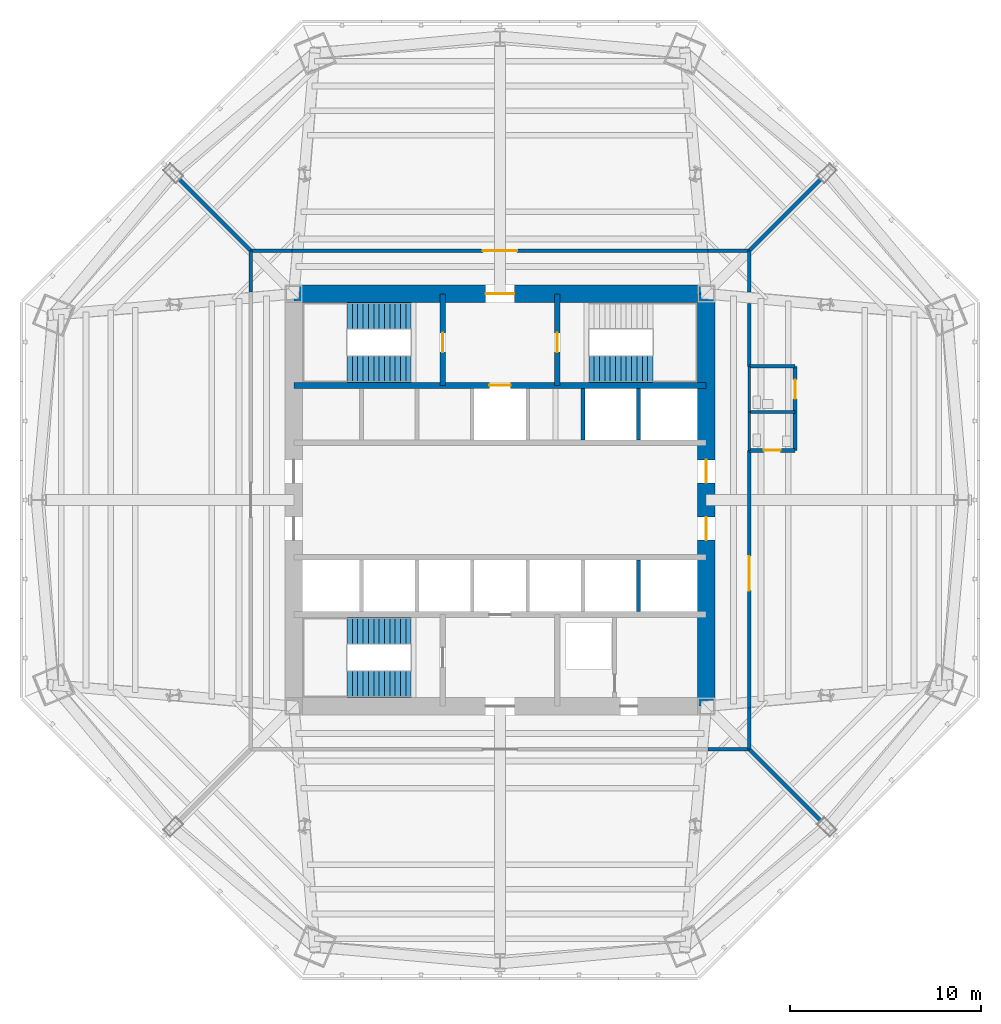
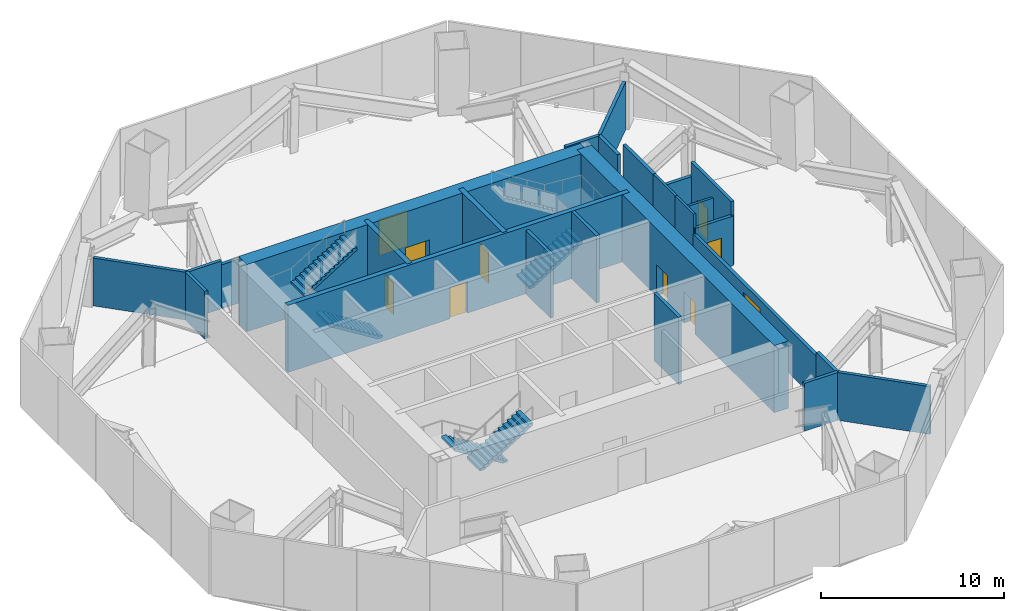
# One storey, part 5 of 9: 26 walls, 10 doors, 5 stair flights, 10 openings, 3 elements without a shape of their own.
"""IFC4 building model written with IfcOpenShell, lengths in metres."""

from ifc_helpers import new_model, si_unit, direction, frame, frame_2d, origin, place, context, subcontext, project, spatial, polyline, rectangle, outline, extrude, material, layer, layer_set, type_object, element, fill, aggregate, save


model = new_model("IFC4")

# Units and contexts
model_context = context("Model", 3, precision=1e-05, world=origin(), true_north=direction((0.0, 1.0)))
body_context = subcontext(model_context, "Body", "Model", "MODEL_VIEW")
ifc_project = project(units=[si_unit("LENGTHUNIT", "METRE"), si_unit("AREAUNIT", "SQUARE_METRE"), si_unit("VOLUMEUNIT", "CUBIC_METRE"), si_unit("PLANEANGLEUNIT", "RADIAN"), si_unit("MASSUNIT", "GRAM", prefix="KILO")], contexts=[model_context])

# Site, building, storey
site_placement = place(None, origin())
site = spatial("IfcSite", under=ifc_project, at=site_placement, CompositionType="ELEMENT")
building_placement = place(site_placement, origin())
building = spatial("IfcBuilding", under=site, at=building_placement, Name="Mashrafa Tower", CompositionType="ELEMENT")
storey_placement = place(building_placement, frame((0.0, 0.0, 104.39990234375)))
storey = spatial("IfcBuildingStorey", under=building, at=storey_placement, Name="L23", CompositionType="ELEMENT", Elevation=104.39990234375)

# Wall
ifc_material_1 = material(Name="Concrete masonry unit", Category="masonry")
ifc_layer_1 = layer(ifc_material_1, 0.199951171875)
ifc_layer_set_1 = layer_set([ifc_layer_1], Name="Blockwork wall 200 2 hr")
wall_type_1 = type_object("IfcWallType", Name="Blockwork wall 200 2 hr", PredefinedType="PARTITIONING", material=ifc_layer_set_1)
wall_1_placement = place(storey_placement, frame((13.050048828125, -13.050048828125, 0.0), z_axis=(0.0, 0.0, 1.0), x_axis=(0.0, 1.0, 0.0)))
element("IfcWall", 1, at=wall_1_placement, inside=storey, type_object=wall_type_1, Name="Blockwork wall L23-003", PredefinedType="PARTITIONING", context=body_context, shape_type="SweptSolid", body=[
    extrude(rectangle(XDim=2.15283203125, YDim=0.199951171875, at=frame_2d((1.076416015625, 0.0))), origin(), (0.0, 0.0, 1.0), 3.19873046875),
])

# Wall, opening, door
wall_2_placement = place(storey_placement, frame((13.050048828125, -10.895263671875, 0.0), z_axis=(0.0, 0.0, 1.0), x_axis=(0.0, 1.0, 0.0)))
wall_2 = element("IfcWall", 2, at=wall_2_placement, inside=storey, type_object=wall_type_1, Name="Blockwork wall L23-004", PredefinedType="PARTITIONING", context=body_context, shape_type="SweptSolid", body=[
    extrude(rectangle(XDim=13.496337890625, YDim=0.199951171875, at=frame_2d((6.748046875, 0.0))), origin(), (0.0, 0.0, 1.0), 2.940185546875),
])
opening_1_placement = place(wall_2_placement, frame((6.1533203125, 0.0, 0.0)))
opening_1 = element("IfcOpeningElement", 3, at=opening_1_placement, cuts=wall_2, Name="Opening 23.003", PredefinedType="OPENING", context=body_context, shape_type="SweptSolid", body=[
    extrude(rectangle(XDim=1.800048828125, YDim=2.39990234375, at=frame_2d((0.89990234375, 1.199951171875))), frame((0.0, 0.10986328125, 0.0), z_axis=(0.0, -1.0, 0.0), x_axis=(1.0, 0.0, 0.0)), (0.0, 0.0, 1.0), 0.219970703125),
])
ifc_material_2 = material(Name="Steel door", Category="steel")
door_type_1 = type_object("IfcDoorType", Name="Door pair 1800 x 2400 90 min", OperationType="DOUBLE_DOOR_SINGLE_SWING", PredefinedType="DOOR", material=ifc_material_2)
door_1_placement = place(opening_1_placement, origin())
door_1 = element("IfcDoor", 4, at=door_1_placement, inside=storey, type_object=door_type_1, Name="Refuge Area L23 East door", OperationType="DOUBLE_DOOR_SINGLE_SWING", OverallHeight=2.39990234375, OverallWidth=1.800048828125, PredefinedType="DOOR", context=body_context, shape_type="SweptSolid", body=[
    extrude(rectangle(XDim=1.800048828125, YDim=2.39990234375, at=frame_2d((0.89990234375, 1.199951171875))), frame((0.0, 0.02490234375, 0.0), z_axis=(0.0, -1.0, 0.0), x_axis=(1.0, 0.0, 0.0)), (0.0, 0.0, 1.0), 0.050048828125),
])
fill(opening_1, door_1)

# Walls
wall_3_placement = place(storey_placement, frame((13.050048828125, 6.9990234375, 0.0), z_axis=(0.0, 0.0, 1.0), x_axis=(0.0, 1.0, 0.0)))
element("IfcWall", 5, at=wall_3_placement, inside=storey, type_object=wall_type_1, Name="Blockwork wall L23-005", PredefinedType="PARTITIONING", context=body_context, shape_type="SweptSolid", body=[
    extrude(rectangle(XDim=3.28564453125, YDim=0.199951171875, at=frame_2d((1.642822265625, 0.0))), origin(), (0.0, 0.0, 1.0), 4.25),
])
for number, where, z_axis, x_axis, name in (
    (6, (13.050048828125, 10.897216796875, 0.0), (0.0, 0.0, 1.0), (0.0, 1.0, 0.0), "Blockwork wall L23-006"),
    (7, (-13.050048828125, 13.050048828125, 0.0), (0.0, 0.0, 1.0), (0.0, -1.0, 0.0), "Blockwork wall L23-007"),
    (8, (13.050048828125, 13.050048828125, 0.0), (0.0, 0.0, 1.0), (-1.0, 0.0, 0.0), "Blockwork wall L23-010"),
):
    element("IfcWall", number, at=place(storey_placement, frame(where, z_axis=z_axis, x_axis=x_axis)), inside=storey, type_object=wall_type_1, Name=name, PredefinedType="PARTITIONING", context=body_context, shape_type="SweptSolid", body=[
        extrude(rectangle(XDim=2.15283203125, YDim=0.199951171875, at=frame_2d((1.076416015625, 0.0))), origin(), (0.0, 0.0, 1.0), 3.19873046875),
    ])

# Wall, opening, door
wall_4_placement = place(storey_placement, frame((10.895263671875, 13.050048828125, 0.0), z_axis=(0.0, 0.0, 1.0), x_axis=(-1.0, 0.0, 0.0)))
wall_4 = element("IfcWall", 9, at=wall_4_placement, inside=storey, type_object=wall_type_1, Name="Blockwork wall L23-011", PredefinedType="PARTITIONING", context=body_context, shape_type="SweptSolid", body=[
    extrude(rectangle(XDim=21.79052734375, YDim=0.199951171875, at=frame_2d((10.895263671875, 0.0))), origin(), (0.0, 0.0, 1.0), 2.940185546875),
])
opening_2_placement = place(wall_4_placement, frame((9.995361328125, 0.0, 0.0)))
opening_2 = element("IfcOpeningElement", 10, at=opening_2_placement, cuts=wall_4, Name="Opening 23.005", PredefinedType="OPENING", context=body_context, shape_type="SweptSolid", body=[
    extrude(rectangle(XDim=1.800048828125, YDim=2.39990234375, at=frame_2d((0.89990234375, 1.199951171875))), frame((0.0, 0.10986328125, 0.0), z_axis=(0.0, -1.0, 0.0), x_axis=(1.0, 0.0, 0.0)), (0.0, 0.0, 1.0), 0.219970703125),
])
door_2_placement = place(opening_2_placement, frame((1.800048828125, 0.0, 0.0), z_axis=(0.0, 0.0, 1.0), x_axis=(-1.0, 0.0, 0.0)))
door_2 = element("IfcDoor", 11, at=door_2_placement, inside=storey, type_object=door_type_1, Name="Mechanical Plant Room L23 door", OperationType="DOUBLE_DOOR_SINGLE_SWING", OverallHeight=2.39990234375, OverallWidth=1.800048828125, PredefinedType="DOOR", context=body_context, shape_type="SweptSolid", body=[
    extrude(rectangle(XDim=1.800048828125, YDim=2.39990234375, at=frame_2d((0.89990234375, 1.199951171875))), frame((0.0, 0.02490234375, 0.0), z_axis=(0.0, -1.0, 0.0), x_axis=(1.0, 0.0, 0.0)), (0.0, 0.0, 1.0), 0.050048828125),
])
fill(opening_2, door_2)

# Walls
for number, where, z_axis, x_axis, name in (
    (12, (-10.897216796875, 13.050048828125, 0.0), (0.0, 0.0, 1.0), (-1.0, 0.0, 0.0), "Blockwork wall L23-012"),
    (13, (10.897216796875, -13.050048828125, 0.0), (0.0, 0.0, 1.0), (1.0, 0.0, 0.0), "Blockwork wall L23-015"),
):
    element("IfcWall", number, at=place(storey_placement, frame(where, z_axis=z_axis, x_axis=x_axis)), inside=storey, type_object=wall_type_1, Name=name, PredefinedType="PARTITIONING", context=body_context, shape_type="SweptSolid", body=[
        extrude(rectangle(XDim=2.15283203125, YDim=0.199951171875, at=frame_2d((1.076416015625, 0.0))), origin(), (0.0, 0.0, 1.0), 3.19873046875),
    ])

# Wall, opening, door
wall_5_placement = place(storey_placement, frame((13.050048828125, 2.60009765625, 0.0), z_axis=(0.0, 0.0, 1.0), x_axis=(1.0, 0.0, 0.0)))
wall_5 = element("IfcWall", 14, at=wall_5_placement, inside=storey, type_object=wall_type_1, Name="Blockwork wall L23-017", PredefinedType="PARTITIONING", context=body_context, shape_type="SweptSolid", body=[
    extrude(rectangle(XDim=2.39990234375, YDim=0.199951171875, at=frame_2d((1.199951171875, 0.0))), origin(), (0.0, 0.0, 1.0), 3.328125),
])
opening_3_placement = place(wall_5_placement, frame((0.75, 0.0, 0.0)))
opening_3 = element("IfcOpeningElement", 15, at=opening_3_placement, cuts=wall_5, Name="Opening 23.001", PredefinedType="OPENING", context=body_context, shape_type="SweptSolid", body=[
    extrude(rectangle(XDim=0.89990234375, YDim=2.10009765625, at=frame_2d((0.449951171875, 1.050048828125))), frame((0.0, 0.10986328125, 0.0), z_axis=(0.0, -1.0, 0.0), x_axis=(1.0, 0.0, 0.0)), (0.0, 0.0, 1.0), 0.219970703125),
])
ifc_material_3 = material(Name="Timber door", Category="wood")
door_type_2 = type_object("IfcDoorType", Name="Toilet door 900 x 2100", OperationType="USERDEFINED", PredefinedType="DOOR", material=ifc_material_3)
door_3_placement = place(opening_3_placement, origin())
door_3 = element("IfcDoor", 16, at=door_3_placement, inside=storey, type_object=door_type_2, Name="Refuge WC L23 door", OperationType="SINGLE_SWING_RIGHT", OverallHeight=2.10009765625, OverallWidth=0.89990234375, PredefinedType="DOOR", context=body_context, shape_type="SweptSolid", body=[
    extrude(rectangle(XDim=0.89990234375, YDim=2.10009765625, at=frame_2d((0.449951171875, 1.050048828125))), frame((0.0, 0.02490234375, 0.0), z_axis=(0.0, -1.0, 0.0), x_axis=(1.0, 0.0, 0.0)), (0.0, 0.0, 1.0), 0.050048828125),
])
fill(opening_3, door_3)

wall_6_placement = place(storey_placement, frame((15.449951171875, 2.60009765625, 0.0), z_axis=(0.0, 0.0, 1.0), x_axis=(0.0, 1.0, 0.0)))
wall_6 = element("IfcWall", 17, at=wall_6_placement, inside=storey, type_object=wall_type_1, Name="Blockwork wall L23-018", PredefinedType="PARTITIONING", context=body_context, shape_type="SweptSolid", body=[
    extrude(rectangle(XDim=4.39990234375, YDim=0.199951171875, at=frame_2d((2.199951171875, 0.0))), origin(), (0.0, 0.0, 1.0), 4.25),
])
opening_4_placement = place(wall_6_placement, frame((2.699951171875, 0.0, 0.0)))
opening_4 = element("IfcOpeningElement", 18, at=opening_4_placement, cuts=wall_6, Name="Opening 23.002", PredefinedType="OPENING", context=body_context, shape_type="SweptSolid", body=[
    extrude(rectangle(XDim=1.0, YDim=2.10009765625, at=frame_2d((0.5, 1.050048828125))), frame((0.0, 0.10986328125, 0.0), z_axis=(0.0, -1.0, 0.0), x_axis=(1.0, 0.0, 0.0)), (0.0, 0.0, 1.0), 0.219970703125),
])
ifc_material_4 = material(Name="Timber door", Category="wood")
door_type_3 = type_object("IfcDoorType", Name="Accessible toilet door 1000 x 2100", OperationType="USERDEFINED", PredefinedType="DOOR", material=ifc_material_4)
door_4_placement = place(opening_4_placement, origin())
door_4 = element("IfcDoor", 19, at=door_4_placement, inside=storey, type_object=door_type_3, Name="Refuge Accessible WC L23 door", OperationType="SINGLE_SWING_LEFT", OverallHeight=2.10009765625, OverallWidth=1.0, PredefinedType="DOOR", context=body_context, shape_type="SweptSolid", body=[
    extrude(rectangle(XDim=1.0, YDim=2.10009765625, at=frame_2d((0.5, 1.050048828125))), frame((0.0, 0.02490234375, 0.0), z_axis=(0.0, -1.0, 0.0), x_axis=(1.0, 0.0, 0.0)), (0.0, 0.0, 1.0), 0.050048828125),
])
fill(opening_4, door_4)

# Walls
wall_7_placement = place(storey_placement, frame((15.449951171875, 7.0, 0.0), z_axis=(0.0, 0.0, 1.0), x_axis=(-1.0, 0.0, 0.0)))
element("IfcWall", 20, at=wall_7_placement, inside=storey, type_object=wall_type_1, Name="Blockwork wall L23-020", PredefinedType="PARTITIONING", context=body_context, shape_type="SweptSolid", body=[
    extrude(rectangle(XDim=2.39990234375, YDim=0.199951171875, at=frame_2d((1.199951171875, 0.0))), origin(), (0.0, 0.0, 1.0), 3.328125),
])
for number, where, z_axis, x_axis, name in (
    (21, (16.782958984375, 16.782958984375, 0.0), (0.0, 0.0, 1.0), (-0.707106781187, -0.707106781187, 0.0), "Blockwork wall L23-021"),
    (22, (13.050048828125, -13.050048828125, 0.0), (0.0, 0.0, 1.0), (0.707106781187, -0.707106781187, 0.0), "Blockwork wall L23-022"),
    (23, (-13.050048828125, 13.050048828125, 0.0), (0.0, 0.0, 1.0), (-0.707106781187, 0.707106781187, 0.0), "Blockwork wall L23-023"),
):
    element("IfcWall", number, at=place(storey_placement, frame(where, z_axis=z_axis, x_axis=x_axis)), inside=storey, type_object=wall_type_1, Name=name, PredefinedType="PARTITIONING", context=body_context, shape_type="SweptSolid", body=[
        extrude(rectangle(XDim=5.279052734375, YDim=0.199951171875, at=frame_2d((2.6396484375, 0.0))), origin(), (0.0, 0.0, 1.0), 3.19873046875),
    ])

# Wall, opening, door
ifc_material_5 = material(Name="Concrete C60/75", Category="concrete")
ifc_layer_2 = layer(ifc_material_5, 0.300048828125)
ifc_layer_set_2 = layer_set([ifc_layer_2], Name="Core wall 300 C60/75")
wall_type_2 = type_object("IfcWallType", Name="Core wall 300 C60/75", PredefinedType="SOLIDWALL", material=ifc_layer_set_2)
wall_8_placement = place(storey_placement, frame((-10.800048828125, 6.0, 0.0), z_axis=(0.0, 0.0, 1.0), x_axis=(1.0, 0.0, 0.0)))
wall_8 = element("IfcWall", 24, at=wall_8_placement, inside=storey, type_object=wall_type_2, Name="Core wall CB-N L23", PredefinedType="SOLIDWALL", context=body_context, shape_type="SweptSolid", body=[
    extrude(rectangle(XDim=21.60009765625, YDim=0.300048828125, at=frame_2d((10.800048828125, 0.0))), origin(), (0.0, 0.0, 1.0), 4.5),
])
opening_5_placement = place(wall_8_placement, frame((10.25, 0.0, 0.0)))
opening_5 = element("IfcOpeningElement", 25, at=opening_5_placement, cuts=wall_8, Name="Opening 23.F1", PredefinedType="OPENING", context=body_context, shape_type="SweptSolid", body=[
    extrude(rectangle(XDim=1.10009765625, YDim=2.10009765625, at=frame_2d((0.550048828125, 1.050048828125))), frame((0.0, 0.159912109375, 0.0), z_axis=(0.0, -1.0, 0.0), x_axis=(1.0, 0.0, 0.0)), (0.0, 0.0, 1.0), 0.320068359375),
])
ifc_material_6 = material(Name="Steel door", Category="steel")
door_type_4 = type_object("IfcDoorType", Name="Lift landing door 1100 x 2100 90 min", OperationType="DOUBLE_DOOR_SLIDING", PredefinedType="DOOR", material=ifc_material_6)
door_5_placement = place(opening_5_placement, origin())
door_5 = element("IfcDoor", 26, at=door_5_placement, inside=storey, type_object=door_type_4, Name="Lift landing door F1 L23", OperationType="DOUBLE_DOOR_SLIDING", OverallHeight=2.10009765625, OverallWidth=1.10009765625, PredefinedType="DOOR", context=body_context, shape_type="SweptSolid", body=[
    extrude(rectangle(XDim=1.10009765625, YDim=2.10009765625, at=frame_2d((0.550048828125, 1.050048828125))), frame((0.0, 0.02490234375, 0.0), z_axis=(0.0, -1.0, 0.0), x_axis=(1.0, 0.0, 0.0)), (0.0, 0.0, 1.0), 0.050048828125),
])
fill(opening_5, door_5)

wall_9_placement = place(storey_placement, frame((-3.0, 6.0, 0.0), z_axis=(0.0, 0.0, 1.0), x_axis=(0.0, 1.0, 0.0)))
wall_9 = element("IfcWall", 27, at=wall_9_placement, inside=storey, type_object=wall_type_2, Name="Core wall CX-NW L23", PredefinedType="SOLIDWALL", context=body_context, shape_type="SweptSolid", body=[
    extrude(rectangle(XDim=4.800048828125, YDim=0.300048828125, at=frame_2d((2.39990234375, 0.0))), origin(), (0.0, 0.0, 1.0), 4.5),
])
opening_6_placement = place(wall_9_placement, frame((1.75, 0.0, 0.0)))
opening_6 = element("IfcOpeningElement", 28, at=opening_6_placement, cuts=wall_9, Name="Opening 23.013", PredefinedType="OPENING", context=body_context, shape_type="SweptSolid", body=[
    extrude(rectangle(XDim=1.0, YDim=2.10009765625, at=frame_2d((0.5, 1.050048828125))), frame((0.0, 0.159912109375, 0.0), z_axis=(0.0, -1.0, 0.0), x_axis=(1.0, 0.0, 0.0)), (0.0, 0.0, 1.0), 0.320068359375),
])
ifc_material_7 = material(Name="Steel door", Category="steel")
door_type_5 = type_object("IfcDoorType", Name="Stair door 1000 x 2100 90 min", OperationType="USERDEFINED", PredefinedType="DOOR", material=ifc_material_7)
door_6_placement = place(opening_6_placement, origin())
door_6 = element("IfcDoor", 29, at=door_6_placement, inside=storey, type_object=door_type_5, Name="Stair S1 door L23", OperationType="SINGLE_SWING_LEFT", OverallHeight=2.10009765625, OverallWidth=1.0, PredefinedType="DOOR", context=body_context, shape_type="SweptSolid", body=[
    extrude(rectangle(XDim=1.0, YDim=2.10009765625, at=frame_2d((0.5, 1.050048828125))), frame((0.0, 0.02490234375, 0.0), z_axis=(0.0, -1.0, 0.0), x_axis=(1.0, 0.0, 0.0)), (0.0, 0.0, 1.0), 0.050048828125),
])
fill(opening_6, door_6)

wall_10_placement = place(storey_placement, frame((3.0, 6.0, 0.0), z_axis=(0.0, 0.0, 1.0), x_axis=(0.0, 1.0, 0.0)))
wall_10 = element("IfcWall", 30, at=wall_10_placement, inside=storey, type_object=wall_type_2, Name="Core wall CX-NE L23", PredefinedType="SOLIDWALL", context=body_context, shape_type="SweptSolid", body=[
    extrude(rectangle(XDim=4.800048828125, YDim=0.300048828125, at=frame_2d((2.39990234375, 0.0))), origin(), (0.0, 0.0, 1.0), 4.5),
])
opening_7_placement = place(wall_10_placement, frame((1.75, 0.0, 0.0)))
opening_7 = element("IfcOpeningElement", 31, at=opening_7_placement, cuts=wall_10, Name="Opening 23.014", PredefinedType="OPENING", context=body_context, shape_type="SweptSolid", body=[
    extrude(rectangle(XDim=1.0, YDim=2.10009765625, at=frame_2d((0.5, 1.050048828125))), frame((0.0, 0.159912109375, 0.0), z_axis=(0.0, -1.0, 0.0), x_axis=(1.0, 0.0, 0.0)), (0.0, 0.0, 1.0), 0.320068359375),
])
door_7_placement = place(opening_7_placement, frame((1.0, 0.0, 0.0), z_axis=(0.0, 0.0, 1.0), x_axis=(-1.0, 0.0, 0.0)))
door_7 = element("IfcDoor", 32, at=door_7_placement, inside=storey, type_object=door_type_5, Name="Stair S2 door L23", OperationType="SINGLE_SWING_RIGHT", OverallHeight=2.10009765625, OverallWidth=1.0, PredefinedType="DOOR", context=body_context, shape_type="SweptSolid", body=[
    extrude(rectangle(XDim=1.0, YDim=2.10009765625, at=frame_2d((0.5, 1.050048828125))), frame((0.0, 0.02490234375, 0.0), z_axis=(0.0, -1.0, 0.0), x_axis=(1.0, 0.0, 0.0)), (0.0, 0.0, 1.0), 0.050048828125),
])
fill(opening_7, door_7)

# Wall, openings, doors
ifc_material_8 = material(Name="Concrete C60/75", Category="concrete")
ifc_layer_3 = layer(ifc_material_8, 0.89990234375)
ifc_layer_set_3 = layer_set([ifc_layer_3], Name="Core wall 900 C60/75")
wall_type_3 = type_object("IfcWallType", Name="Core wall 900 C60/75", PredefinedType="SOLIDWALL", material=ifc_layer_set_3)
wall_11_placement = place(storey_placement, frame((10.800048828125, -10.800048828125, 0.0), z_axis=(0.0, 0.0, 1.0), x_axis=(0.0, 1.0, 0.0)))
wall_11 = element("IfcWall", 33, at=wall_11_placement, inside=storey, type_object=wall_type_3, Name="Core wall CW-E L23", PredefinedType="SOLIDWALL", context=body_context, shape_type="SweptSolid", body=[
    extrude(rectangle(XDim=21.60009765625, YDim=0.89990234375, at=frame_2d((10.800048828125, 0.0))), origin(), (0.0, 0.0, 1.0), 4.5),
])
opening_8_placement = place(wall_11_placement, frame((11.699951171875, 0.0, 0.0)))
opening_8 = element("IfcOpeningElement", 34, at=opening_8_placement, cuts=wall_11, Name="Opening 23.007", PredefinedType="OPENING", context=body_context, shape_type="SweptSolid", body=[
    extrude(rectangle(XDim=1.199951171875, YDim=2.10009765625, at=frame_2d((0.60009765625, 1.050048828125))), frame((0.0, 0.4599609375, 0.0), z_axis=(0.0, -1.0, 0.0), x_axis=(1.0, 0.0, 0.0)), (0.0, 0.0, 1.0), 0.919921875),
])
opening_9_placement = place(wall_11_placement, frame((8.699951171875, 0.0, 0.0)))
opening_9 = element("IfcOpeningElement", 35, at=opening_9_placement, cuts=wall_11, Name="Opening 23.009", PredefinedType="OPENING", context=body_context, shape_type="SweptSolid", body=[
    extrude(rectangle(XDim=1.199951171875, YDim=2.10009765625, at=frame_2d((0.60009765625, 1.050048828125))), frame((0.0, 0.4599609375, 0.0), z_axis=(0.0, -1.0, 0.0), x_axis=(1.0, 0.0, 0.0)), (0.0, 0.0, 1.0), 0.919921875),
])
ifc_material_9 = material(Name="Steel door", Category="steel")
door_type_6 = type_object("IfcDoorType", Name="Lift hall door 1200 x 2100 90 min", OperationType="USERDEFINED", PredefinedType="DOOR", material=ifc_material_9)
door_8_placement = place(opening_8_placement, frame((1.199951171875, 0.0, 0.0), z_axis=(0.0, 0.0, 1.0), x_axis=(-1.0, 0.0, 0.0)))
door_8 = element("IfcDoor", 36, at=door_8_placement, inside=storey, type_object=door_type_6, Name="Lift hall door east L23", OperationType="SINGLE_SWING_LEFT", OverallHeight=2.10009765625, OverallWidth=1.199951171875, PredefinedType="DOOR", context=body_context, shape_type="SweptSolid", body=[
    extrude(rectangle(XDim=1.199951171875, YDim=2.10009765625, at=frame_2d((0.60009765625, 1.050048828125))), frame((0.0, 0.02490234375, 0.0), z_axis=(0.0, -1.0, 0.0), x_axis=(1.0, 0.0, 0.0)), (0.0, 0.0, 1.0), 0.050048828125),
])
fill(opening_8, door_8)
door_9_placement = place(opening_9_placement, frame((1.199951171875, 0.0, 0.0), z_axis=(0.0, 0.0, 1.0), x_axis=(-1.0, 0.0, 0.0)))
door_9 = element("IfcDoor", 37, at=door_9_placement, inside=storey, type_object=door_type_6, Name="Lift hall door east L23", OperationType="SINGLE_SWING_RIGHT", OverallHeight=2.10009765625, OverallWidth=1.199951171875, PredefinedType="DOOR", context=body_context, shape_type="SweptSolid", body=[
    extrude(rectangle(XDim=1.199951171875, YDim=2.10009765625, at=frame_2d((0.60009765625, 1.050048828125))), frame((0.0, 0.02490234375, 0.0), z_axis=(0.0, -1.0, 0.0), x_axis=(1.0, 0.0, 0.0)), (0.0, 0.0, 1.0), 0.050048828125),
])
fill(opening_9, door_9)

# Wall, opening, door
wall_12_placement = place(storey_placement, frame((10.800048828125, 10.800048828125, 0.0), z_axis=(0.0, 0.0, 1.0), x_axis=(-1.0, 0.0, 0.0)))
wall_12 = element("IfcWall", 38, at=wall_12_placement, inside=storey, type_object=wall_type_3, Name="Core wall CW-N L23", PredefinedType="SOLIDWALL", context=body_context, shape_type="SweptSolid", body=[
    extrude(rectangle(XDim=21.60009765625, YDim=0.89990234375, at=frame_2d((10.800048828125, 0.0))), origin(), (0.0, 0.0, 1.0), 4.5),
])
opening_10_placement = place(wall_12_placement, frame((10.050048828125, 0.0, 0.0)))
opening_10 = element("IfcOpeningElement", 39, at=opening_10_placement, cuts=wall_12, Name="Opening 23.011", PredefinedType="OPENING", context=body_context, shape_type="SweptSolid", body=[
    extrude(rectangle(XDim=1.5, YDim=2.10009765625, at=frame_2d((0.75, 1.050048828125))), frame((0.0, 0.4599609375, 0.0), z_axis=(0.0, -1.0, 0.0), x_axis=(1.0, 0.0, 0.0)), (0.0, 0.0, 1.0), 0.919921875),
])
ifc_material_10 = material(Name="Steel door", Category="steel")
door_type_7 = type_object("IfcDoorType", Name="Lobby door pair 1500 x 2100 90 min", OperationType="DOUBLE_DOOR_SINGLE_SWING", PredefinedType="DOOR", material=ifc_material_10)
door_10_placement = place(opening_10_placement, origin())
door_10 = element("IfcDoor", 40, at=door_10_placement, inside=storey, type_object=door_type_7, Name="Fire-fighting lobby F1 door L23", OperationType="DOUBLE_DOOR_SINGLE_SWING", OverallHeight=2.10009765625, OverallWidth=1.5, PredefinedType="DOOR", context=body_context, shape_type="SweptSolid", body=[
    extrude(rectangle(XDim=1.5, YDim=2.10009765625, at=frame_2d((0.75, 1.050048828125))), frame((0.0, 0.02490234375, 0.0), z_axis=(0.0, -1.0, 0.0), x_axis=(1.0, 0.0, 0.0)), (0.0, 0.0, 1.0), 0.050048828125),
])
fill(opening_10, door_10)

# Walls
ifc_material_11 = material(Name="Gypsum board on steel studs", Category="steel")
ifc_layer_4 = layer(ifc_material_11, 0.14990234375)
ifc_layer_set_4 = layer_set([ifc_layer_4], Name="Corridor partition 150 1 hr")
wall_type_4 = type_object("IfcWallType", Name="Corridor partition 150 1 hr", PredefinedType="PARTITIONING", material=ifc_layer_set_4)
wall_13_placement = place(storey_placement, frame((13.050048828125, 2.59912109375, 0.0), z_axis=(0.0, 0.0, 1.0), x_axis=(0.0, 1.0, 0.0)))
element("IfcWall", 41, at=wall_13_placement, inside=storey, type_object=wall_type_4, Name="Corridor wall L23-001", PredefinedType="PARTITIONING", context=body_context, shape_type="SweptSolid", body=[
    extrude(rectangle(XDim=2.001953125, YDim=0.14990234375, at=frame_2d((1.0009765625, 0.0))), origin(), (0.0, 0.0, 1.0), 4.25),
])
wall_14_placement = place(storey_placement, frame((13.050048828125, 4.59912109375, 0.0), z_axis=(0.0, 0.0, 1.0), x_axis=(0.0, 1.0, 0.0)))
element("IfcWall", 42, at=wall_14_placement, inside=storey, type_object=wall_type_4, Name="Corridor wall L23-002", PredefinedType="PARTITIONING", context=body_context, shape_type="SweptSolid", body=[
    extrude(rectangle(XDim=2.40185546875, YDim=0.14990234375, at=frame_2d((1.200927734375, 0.0))), origin(), (0.0, 0.0, 1.0), 4.25),
])
ifc_material_12 = material(Name="Gypsum board on steel studs", Category="steel")
ifc_layer_5 = layer(ifc_material_12, 0.14990234375)
ifc_layer_set_5 = layer_set([ifc_layer_5], Name="Partition 150")
wall_type_5 = type_object("IfcWallType", Name="Partition 150", PredefinedType="PARTITIONING", material=ifc_layer_set_5)
wall_15_placement = place(storey_placement, frame((15.449951171875, 4.60009765625, 0.0), z_axis=(0.0, 0.0, 1.0), x_axis=(-1.0, 0.0, 0.0)))
element("IfcWall", 43, at=wall_15_placement, inside=storey, type_object=wall_type_5, Name="Partition wall L23-016", PredefinedType="PARTITIONING", context=body_context, shape_type="SweptSolid", body=[
    extrude(rectangle(XDim=2.39990234375, YDim=0.14990234375, at=frame_2d((1.199951171875, 0.0))), origin(), (0.0, 0.0, 1.0), 3.328125),
])
ifc_material_13 = material(Name="Gypsum shaft wall on steel studs", Category="steel")
ifc_layer_6 = layer(ifc_material_13, 0.199951171875)
ifc_layer_set_6 = layer_set([ifc_layer_6], Name="Shaft divider wall 200 2 hr")
wall_type_6 = type_object("IfcWallType", Name="Shaft divider wall 200 2 hr", PredefinedType="PARTITIONING", material=ifc_layer_set_6)
wall_16_placement = place(storey_placement, frame((4.35009765625, 3.14990234375, 0.0), z_axis=(0.0, 0.0, 1.0), x_axis=(0.0, 1.0, 0.0)))
element("IfcWall", 44, at=wall_16_placement, inside=storey, type_object=wall_type_6, Name="Shaft divider wall N5 L23", PredefinedType="PARTITIONING", context=body_context, shape_type="SweptSolid", body=[
    extrude(rectangle(XDim=2.7001953125, YDim=0.199951171875, at=frame_2d((1.35009765625, 0.0))), origin(), (0.0, 0.0, 1.0), 4.25),
])
for number, where, z_axis, x_axis, name in (
    (45, (7.25, 3.14990234375, 0.0), (0.0, 0.0, 1.0), (0.0, 1.0, 0.0), "Shaft divider wall N6 L23"),
    (46, (7.25, -5.85009765625, 0.0), (0.0, 0.0, 1.0), (0.0, 1.0, 0.0), "Shaft divider wall S6 L23"),
):
    element("IfcWall", number, at=place(storey_placement, frame(where, z_axis=z_axis, x_axis=x_axis)), inside=storey, type_object=wall_type_6, Name=name, PredefinedType="PARTITIONING", context=body_context, shape_type="SweptSolid", body=[
        extrude(rectangle(XDim=2.7001953125, YDim=0.199951171875, at=frame_2d((1.35009765625, 0.0))), origin(), (0.0, 0.0, 1.0), 4.5),
    ])

# Stair, stair flights
ifc_material_14 = material(Name="Exit stair 1400")
stair_type = type_object("IfcStairType", Name="Exit stair 1400", PredefinedType="HALF_TURN_STAIR", material=ifc_material_14)
stair_1_placement = place(storey_placement, origin())
stair_1 = element("IfcStair", 47, at=stair_1_placement, inside=storey, type_object=stair_type, Name="Stair S1 L23", PredefinedType="HALF_TURN_STAIR")
ifc_material_15 = material(Name="Concrete C32/40", Category="concrete")
stair_flight_type = type_object("IfcStairFlightType", Name="Stair flight 1400", PredefinedType="STRAIGHT", material=ifc_material_15)
stair_flight_1_placement = place(storey_placement, frame((-4.64990234375, 6.85009765625, 0.0), z_axis=(0.0, 0.0, 1.0), x_axis=(-1.0, 0.0, 0.0)))
stair_flight_1 = element("IfcStairFlight", 48, at=stair_flight_1_placement, type_object=stair_flight_type, Name="S1 flight 1", NumberOfRisers=13, NumberOfTreads=12, PredefinedType="STRAIGHT", RiserHeight=0.173076923, TreadLength=0.28, context=body_context, shape_type="SweptSolid", body=[
    extrude(outline(polyline([(0.0, 0.0), (0.0, 0.173095703125), (0.280029296875, 0.173095703125), (0.280029296875, 0.34619140625), (0.56005859375, 0.34619140625), (0.56005859375, 0.519287109375), (0.840087890625, 0.519287109375), (0.840087890625, 0.6923828125), (1.1201171875, 0.6923828125), (1.1201171875, 0.865478515625), (1.39990234375, 0.865478515625), (1.39990234375, 1.03857421875), (1.679931640625, 1.03857421875), (1.679931640625, 1.21142578125), (1.9599609375, 1.21142578125), (1.9599609375, 1.384521484375), (2.239990234375, 1.384521484375), (2.239990234375, 1.5576171875), (2.52001953125, 1.5576171875), (2.52001953125, 1.730712890625), (2.800048828125, 1.730712890625), (2.800048828125, 1.90380859375), (3.080078125, 1.90380859375), (3.080078125, 2.076904296875), (3.360107421875, 2.076904296875), (3.360107421875, 2.25), (3.360107421875, 1.900634765625), (0.28515625, 0.0), (0.0, 0.0)])), frame((0.0, 0.699951171875, 0.0), z_axis=(0.0, -1.0, 0.0), x_axis=(1.0, 0.0, 0.0)), (0.0, 0.0, 1.0), 1.39990234375),
])
stair_flight_2_placement = place(storey_placement, frame((-8.010009765625, 9.64990234375, 2.25), z_axis=(0.0, 0.0, 1.0), x_axis=(1.0, 0.0, 0.0)))
stair_flight_2 = element("IfcStairFlight", 49, at=stair_flight_2_placement, type_object=stair_flight_type, Name="S1 flight 2", NumberOfRisers=13, NumberOfTreads=12, PredefinedType="STRAIGHT", RiserHeight=0.173076923, TreadLength=0.28, context=body_context, shape_type="SweptSolid", body=[
    extrude(outline(polyline([(0.0, 0.0), (0.0, 0.173095703125), (0.280029296875, 0.173095703125), (0.280029296875, 0.34619140625), (0.56005859375, 0.34619140625), (0.56005859375, 0.519287109375), (0.840087890625, 0.519287109375), (0.840087890625, 0.6923828125), (1.1201171875, 0.6923828125), (1.1201171875, 0.865478515625), (1.39990234375, 0.865478515625), (1.39990234375, 1.03857421875), (1.679931640625, 1.03857421875), (1.679931640625, 1.21142578125), (1.9599609375, 1.21142578125), (1.9599609375, 1.384521484375), (2.239990234375, 1.384521484375), (2.239990234375, 1.5576171875), (2.52001953125, 1.5576171875), (2.52001953125, 1.730712890625), (2.800048828125, 1.730712890625), (2.800048828125, 1.90380859375), (3.080078125, 1.90380859375), (3.080078125, 2.076904296875), (3.360107421875, 2.076904296875), (3.360107421875, 2.25), (3.360107421875, 1.900634765625), (0.28515625, 0.0), (0.0, 0.0)])), frame((0.0, 0.699951171875, 0.0), z_axis=(0.0, -1.0, 0.0), x_axis=(1.0, 0.0, 0.0)), (0.0, 0.0, 1.0), 1.39990234375),
])
aggregate(stair_1, [stair_flight_1, stair_flight_2])

# Stair, stair flight
stair_2_placement = place(storey_placement, origin())
stair_2 = element("IfcStair", 50, at=stair_2_placement, inside=storey, type_object=stair_type, Name="Stair S2 L23", PredefinedType="HALF_TURN_STAIR")
stair_flight_3_placement = place(storey_placement, frame((4.64990234375, 6.85009765625, 0.0), z_axis=(0.0, 0.0, 1.0), x_axis=(1.0, 0.0, 0.0)))
stair_flight_3 = element("IfcStairFlight", 51, at=stair_flight_3_placement, type_object=stair_flight_type, Name="S2 flight 1", NumberOfRisers=13, NumberOfTreads=12, PredefinedType="STRAIGHT", RiserHeight=0.173076923, TreadLength=0.28, context=body_context, shape_type="SweptSolid", body=[
    extrude(outline(polyline([(0.0, 0.0), (0.0, 0.173095703125), (0.280029296875, 0.173095703125), (0.280029296875, 0.34619140625), (0.56005859375, 0.34619140625), (0.56005859375, 0.519287109375), (0.840087890625, 0.519287109375), (0.840087890625, 0.6923828125), (1.1201171875, 0.6923828125), (1.1201171875, 0.865478515625), (1.39990234375, 0.865478515625), (1.39990234375, 1.03857421875), (1.679931640625, 1.03857421875), (1.679931640625, 1.21142578125), (1.9599609375, 1.21142578125), (1.9599609375, 1.384521484375), (2.239990234375, 1.384521484375), (2.239990234375, 1.5576171875), (2.52001953125, 1.5576171875), (2.52001953125, 1.730712890625), (2.800048828125, 1.730712890625), (2.800048828125, 1.90380859375), (3.080078125, 1.90380859375), (3.080078125, 2.076904296875), (3.360107421875, 2.076904296875), (3.360107421875, 2.25), (3.360107421875, 1.900634765625), (0.28515625, 0.0), (0.0, 0.0)])), frame((0.0, 0.699951171875, 0.0), z_axis=(0.0, -1.0, 0.0), x_axis=(1.0, 0.0, 0.0)), (0.0, 0.0, 1.0), 1.39990234375),
])
aggregate(stair_2, [stair_flight_3])

# Stair, stair flights
stair_3_placement = place(storey_placement, origin())
stair_3 = element("IfcStair", 52, at=stair_3_placement, inside=storey, type_object=stair_type, Name="Stair S3 L23", PredefinedType="HALF_TURN_STAIR")
stair_flight_4_placement = place(storey_placement, frame((-4.64990234375, -6.85009765625, 0.0), z_axis=(0.0, 0.0, 1.0), x_axis=(-1.0, 0.0, 0.0)))
stair_flight_4 = element("IfcStairFlight", 53, at=stair_flight_4_placement, type_object=stair_flight_type, Name="S3 flight 1", NumberOfRisers=13, NumberOfTreads=12, PredefinedType="STRAIGHT", RiserHeight=0.173076923, TreadLength=0.28, context=body_context, shape_type="SweptSolid", body=[
    extrude(outline(polyline([(0.0, 0.0), (0.0, 0.173095703125), (0.280029296875, 0.173095703125), (0.280029296875, 0.34619140625), (0.56005859375, 0.34619140625), (0.56005859375, 0.519287109375), (0.840087890625, 0.519287109375), (0.840087890625, 0.6923828125), (1.1201171875, 0.6923828125), (1.1201171875, 0.865478515625), (1.39990234375, 0.865478515625), (1.39990234375, 1.03857421875), (1.679931640625, 1.03857421875), (1.679931640625, 1.21142578125), (1.9599609375, 1.21142578125), (1.9599609375, 1.384521484375), (2.239990234375, 1.384521484375), (2.239990234375, 1.5576171875), (2.52001953125, 1.5576171875), (2.52001953125, 1.730712890625), (2.800048828125, 1.730712890625), (2.800048828125, 1.90380859375), (3.080078125, 1.90380859375), (3.080078125, 2.076904296875), (3.360107421875, 2.076904296875), (3.360107421875, 2.25), (3.360107421875, 1.900634765625), (0.28515625, 0.0), (0.0, 0.0)])), frame((0.0, 0.699951171875, 0.0), z_axis=(0.0, -1.0, 0.0), x_axis=(1.0, 0.0, 0.0)), (0.0, 0.0, 1.0), 1.39990234375),
])
stair_flight_5_placement = place(storey_placement, frame((-8.010009765625, -9.64990234375, 2.25), z_axis=(0.0, 0.0, 1.0), x_axis=(1.0, 0.0, 0.0)))
stair_flight_5 = element("IfcStairFlight", 54, at=stair_flight_5_placement, type_object=stair_flight_type, Name="S3 flight 2", NumberOfRisers=13, NumberOfTreads=12, PredefinedType="STRAIGHT", RiserHeight=0.173076923, TreadLength=0.28, context=body_context, shape_type="SweptSolid", body=[
    extrude(outline(polyline([(0.0, 0.0), (0.0, 0.173095703125), (0.280029296875, 0.173095703125), (0.280029296875, 0.34619140625), (0.56005859375, 0.34619140625), (0.56005859375, 0.519287109375), (0.840087890625, 0.519287109375), (0.840087890625, 0.6923828125), (1.1201171875, 0.6923828125), (1.1201171875, 0.865478515625), (1.39990234375, 0.865478515625), (1.39990234375, 1.03857421875), (1.679931640625, 1.03857421875), (1.679931640625, 1.21142578125), (1.9599609375, 1.21142578125), (1.9599609375, 1.384521484375), (2.239990234375, 1.384521484375), (2.239990234375, 1.5576171875), (2.52001953125, 1.5576171875), (2.52001953125, 1.730712890625), (2.800048828125, 1.730712890625), (2.800048828125, 1.90380859375), (3.080078125, 1.90380859375), (3.080078125, 2.076904296875), (3.360107421875, 2.076904296875), (3.360107421875, 2.25), (3.360107421875, 1.900634765625), (0.28515625, 0.0), (0.0, 0.0)])), frame((0.0, 0.699951171875, 0.0), z_axis=(0.0, -1.0, 0.0), x_axis=(1.0, 0.0, 0.0)), (0.0, 0.0, 1.0), 1.39990234375),
])
aggregate(stair_3, [stair_flight_4, stair_flight_5])

save(model, "model.ifc")
